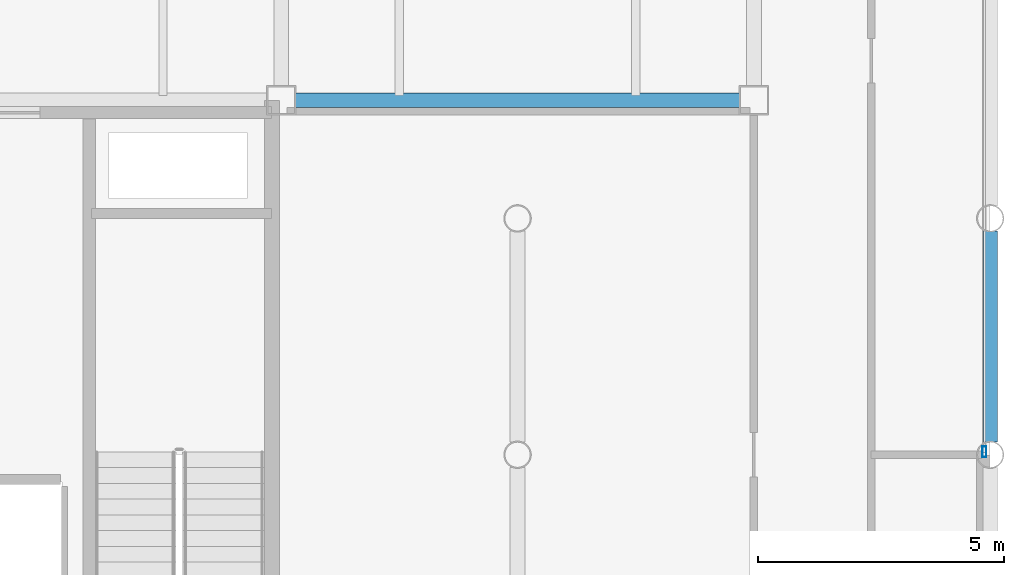
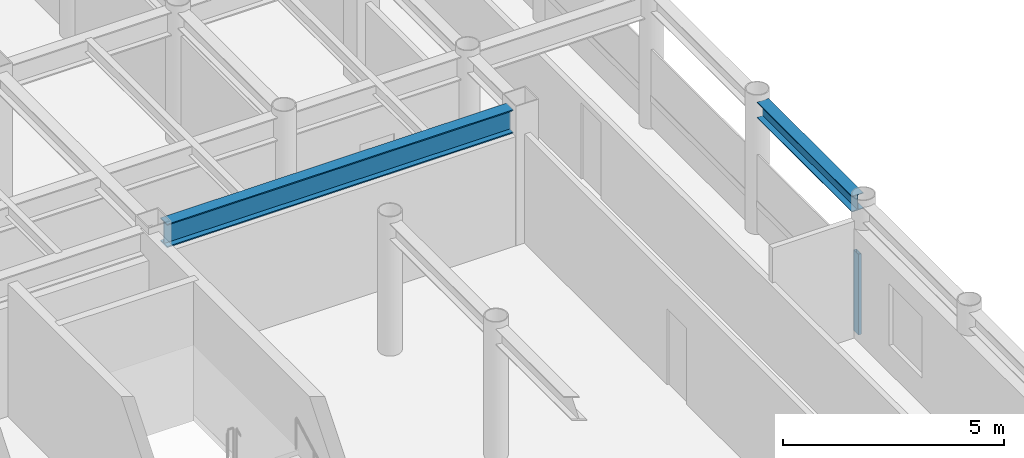
# One storey, part 10 of 21: 2 beams, 1 member, 1 element without a shape of its own.
"""IFC4 building model written with IfcOpenShell, lengths in metres."""

from ifc_helpers import new_model, si_unit, direction, frame, origin, origin_2d, place, context, subcontext, project, spatial, hollow_rectangle, i_section, extrude, material, layer, layer_set, material_profile, profile_set, type_object, element, aggregate, save


model = new_model("IFC4")

# Units and contexts
model_context = context("Model", 3, precision=1e-05, world=origin(), true_north=direction((0.0, 1.0)))
body_context = subcontext(model_context, "Body", "Model", "MODEL_VIEW")
ifc_project = project(units=[si_unit("LENGTHUNIT", "METRE"), si_unit("AREAUNIT", "SQUARE_METRE"), si_unit("VOLUMEUNIT", "CUBIC_METRE"), si_unit("PLANEANGLEUNIT", "RADIAN"), si_unit("MASSUNIT", "GRAM", prefix="KILO")], contexts=[model_context])

# Site, building, storey
site_placement = place(None, origin())
site = spatial("IfcSite", under=ifc_project, at=site_placement, CompositionType="ELEMENT")
building_placement = place(site_placement, origin())
building = spatial("IfcBuilding", under=site, at=building_placement, Name="Kallvorn Hotel Tower", CompositionType="ELEMENT")
storey_placement = place(building_placement, frame((0.0, 0.0, 268.5)))
storey = spatial("IfcBuildingStorey", under=building, at=storey_placement, Name="L67", CompositionType="ELEMENT", Elevation=268.5)

# Beams
ifc_material_1 = material(Name="Structural steel S355JR", Category="steel")
ifc_material_profile_1 = material_profile(ifc_material_1, i_section(OverallWidth=0.300048828125, OverallDepth=0.43994140625, WebThickness=0.011474609375, FlangeThickness=0.02099609375, at=origin_2d()), Name="HE 450 A")
ifc_profile_set_1 = profile_set([ifc_material_profile_1], Name="Structural steel S355JR")
beam_type_1 = type_object("IfcBeamType", Name="BM_HE450A", PredefinedType="BEAM", material=ifc_profile_set_1)
beam_1_placement = place(storey_placement, frame((28.800048828125, 0.25439453125, 3.449951171875), z_axis=(0.0, 1.0, 0.0), x_axis=(-1.0, 0.0, 0.0)))
element("IfcBeam", 1, at=beam_1_placement, inside=storey, type_object=beam_type_1, Name="L68 Primary Y-Girder 147", PredefinedType="BEAM", context=body_context, shape_type="SweptSolid", body=[
    extrude(i_section(OverallWidth=0.300048828125, OverallDepth=0.43994140625, WebThickness=0.011474609375, FlangeThickness=0.02099609375, at=origin_2d()), origin(), (0.0, 0.0, 1.0), 4.291015625),
])
ifc_material_2 = material(Name="Structural steel S355JR", Category="steel")
ifc_material_profile_2 = material_profile(ifc_material_2, i_section(OverallWidth=0.300048828125, OverallDepth=0.64990234375, WebThickness=0.01611328125, FlangeThickness=0.031005859375, at=origin_2d()), Name="HE 650 B")
ifc_profile_set_2 = profile_set([ifc_material_profile_2], Name="Structural steel S355JR")
beam_type_2 = type_object("IfcBeamType", Name="BM_HE650B", PredefinedType="BEAM", material=ifc_profile_set_2)
beam_2_placement = place(storey_placement, frame((14.675048828125, 7.199951171875, 3.344970703125), z_axis=(1.0, 0.0, 0.0), x_axis=(0.0, 1.0, 0.0)))
element("IfcBeam", 2, at=beam_2_placement, inside=storey, type_object=beam_type_2, Name="L68 Primary X-Girder 40", PredefinedType="BEAM", context=body_context, shape_type="SweptSolid", body=[
    extrude(i_section(OverallWidth=0.300048828125, OverallDepth=0.64990234375, WebThickness=0.01611328125, FlangeThickness=0.031005859375, at=origin_2d()), origin(), (0.0, 0.0, 1.0), 9.050048828125),
])

# Curtain wall, member
ifc_material_3 = material(Name="Thermally broken black-anodised aluminium AA 6063-T6", Category="aluminium")
ifc_layer = layer(ifc_material_3, 0.22998046875)
ifc_layer_set = layer_set([ifc_layer], Name="CW_SYS_5_HOTEL_HIGH")
curtain_wall_type = type_object("IfcCurtainWallType", Name="CW_SYS_5_HOTEL_HIGH", PredefinedType="USERDEFINED", material=ifc_layer_set)
curtain_wall_placement = place(storey_placement, origin())
curtain_wall = element("IfcCurtainWall", 3, at=curtain_wall_placement, inside=storey, type_object=curtain_wall_type, Name="L67 Dark-Glass Curtain Wall CW-L67-EN", ObjectType="UNITISED CURTAIN WALL", PredefinedType="USERDEFINED")
ifc_material_4 = material(Name="Thermally broken black-anodised aluminium AA 6063-T6", Category="aluminium")
ifc_material_profile_3 = material_profile(ifc_material_4, hollow_rectangle(XDim=0.080078125, YDim=0.219970703125, WallThickness=0.0048828125, at=origin_2d()), Name="MUL 220x80")
ifc_profile_set_3 = profile_set([ifc_material_profile_3], Name="Thermally broken black-anodised aluminium AA 6063-T6")
member_type = type_object("IfcMemberType", Name="CW_MULLION_220x80", PredefinedType="MULLION", material=ifc_profile_set_3)
member_placement = place(storey_placement, frame((28.679931640625, 0.06005859375, 0.02001953125), z_axis=(0.0, 0.0, 1.0), x_axis=(1.0, 0.0, 0.0)))
member = element("IfcMember", 4, at=member_placement, type_object=member_type, Name="CW-L67-EN Mullion 00", PredefinedType="MULLION", context=body_context, shape_type="SweptSolid", body=[
    extrude(hollow_rectangle(XDim=0.080078125, YDim=0.219970703125, WallThickness=0.0048828125, at=origin_2d()), origin(), (0.0, 0.0, 1.0), 2.22998046875),
])
aggregate(curtain_wall, [member])

save(model, "model.ifc")
